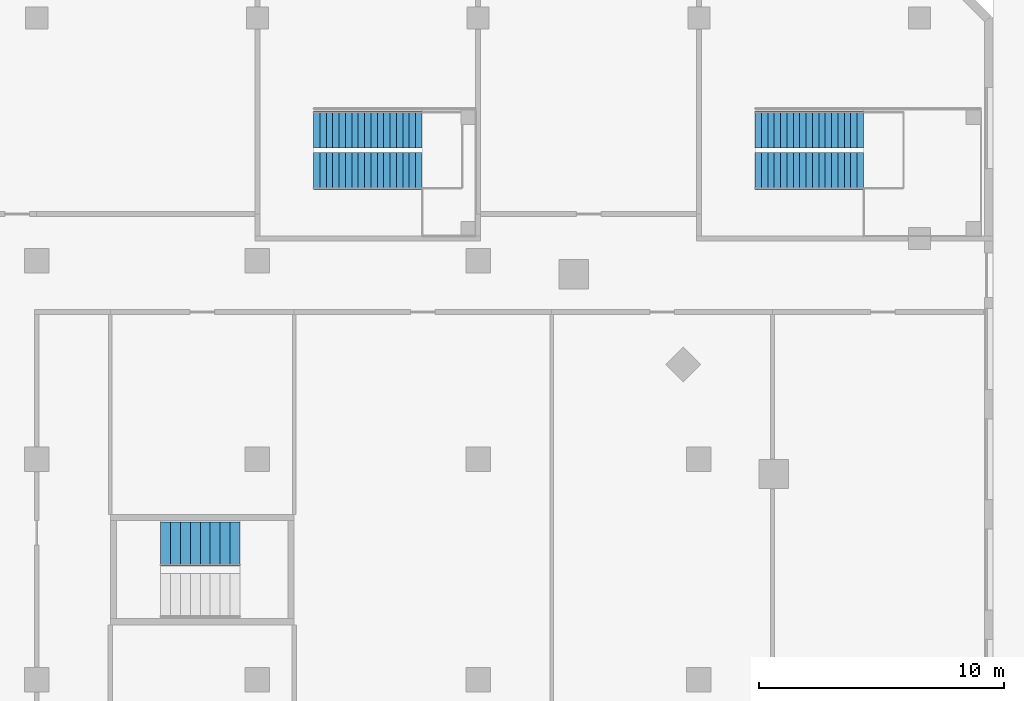
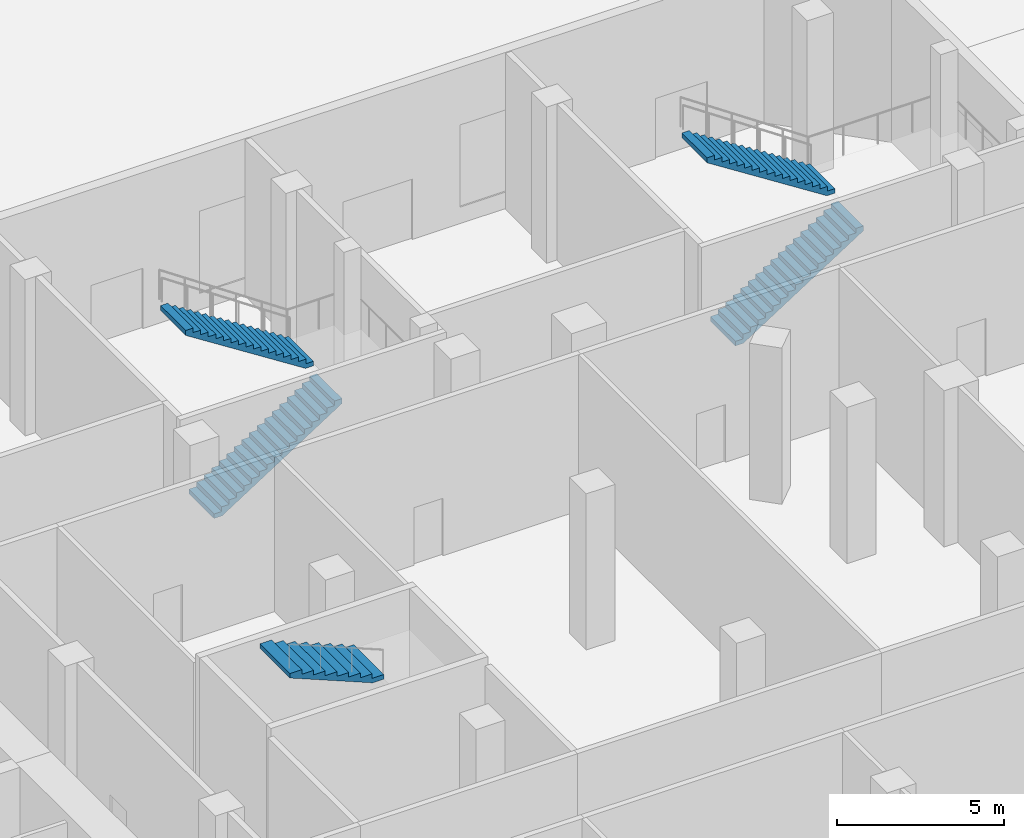
# One storey, part 45 of 55: 5 stair flights, 3 elements without a shape of their own.
"""IFC4 building model written with IfcOpenShell, lengths in metres."""

from ifc_helpers import new_model, si_unit, direction, frame, origin, place, context, subcontext, project, spatial, polyline, outline, extrude, material, type_object, element, aggregate, save


model = new_model("IFC4")

# Units and contexts
model_context = context("Model", 3, precision=1e-05, world=origin(), true_north=direction((0.0, 1.0)))
body_context = subcontext(model_context, "Body", "Model", "MODEL_VIEW")
ifc_project = project(units=[si_unit("LENGTHUNIT", "METRE"), si_unit("AREAUNIT", "SQUARE_METRE"), si_unit("VOLUMEUNIT", "CUBIC_METRE"), si_unit("PLANEANGLEUNIT", "RADIAN"), si_unit("MASSUNIT", "GRAM", prefix="KILO")], contexts=[model_context])

# Site, building, storey
site_placement = place(None, origin())
site = spatial("IfcSite", under=ifc_project, at=site_placement, CompositionType="ELEMENT")
building_placement = place(site_placement, origin())
building = spatial("IfcBuilding", under=site, at=building_placement, Name="Cinnabar Reach Civic Tower", CompositionType="ELEMENT")
storey_placement = place(building_placement, origin())
storey = spatial("IfcBuildingStorey", under=building, at=storey_placement, Name="L00", CompositionType="ELEMENT", Elevation=0.0)

# Stair, stair flights
ifc_material_1 = material(Name="Concrete C35", Category="concrete")
stair_type_1 = type_object("IfcStairType", Name="Podium exit stair 1500", PredefinedType="HALF_TURN_STAIR", material=ifc_material_1)
stair_1_placement = place(storey_placement, origin())
stair_1 = element("IfcStair", 1, at=stair_1_placement, inside=storey, type_object=stair_type_1, Name="Stair PS5", PredefinedType="HALF_TURN_STAIR")
stair_flight_type_1 = type_object("IfcStairFlightType", Name="Podium exit stair flight 1500", PredefinedType="STRAIGHT", material=ifc_material_1)
stair_flight_1_placement = place(storey_placement, frame((56.29, 47.75, 0.0), z_axis=(0.0, 0.0, 1.0), x_axis=(1.0, 0.0, 0.0)))
stair_flight_1 = element("IfcStairFlight", 2, at=stair_flight_1_placement, type_object=stair_flight_type_1, Name="PS5 flight 1", NumberOfRisers=18, NumberOfTreads=17, PredefinedType="STRAIGHT", RiserHeight=0.166666667, TreadLength=0.26, context=body_context, shape_type="SweptSolid", body=[
    extrude(outline(polyline([(0.0, 0.0), (0.0, 0.1667), (0.26, 0.1667), (0.26, 0.3333), (0.52, 0.3333), (0.52, 0.5), (0.78, 0.5), (0.78, 0.6667), (1.04, 0.6667), (1.04, 0.8333), (1.3, 0.8333), (1.3, 1.0), (1.56, 1.0), (1.56, 1.1667), (1.82, 1.1667), (1.82, 1.3333), (2.08, 1.3333), (2.08, 1.5), (2.34, 1.5), (2.34, 1.6667), (2.6, 1.6667), (2.6, 1.8333), (2.86, 1.8333), (2.86, 2.0), (3.12, 2.0), (3.12, 2.1667), (3.38, 2.1667), (3.38, 2.3333), (3.64, 2.3333), (3.64, 2.5), (3.9, 2.5), (3.9, 2.6667), (4.16, 2.6667), (4.16, 2.8333), (4.42, 2.8333), (4.42, 3.0), (4.42, 2.6552), (0.2779, 0.0), (0.0, 0.0)])), frame((0.0, 0.75, 0.0), z_axis=(0.0, -1.0, 0.0), x_axis=(1.0, 0.0, 0.0)), (0.0, 0.0, 1.0), 1.5),
])
stair_flight_2_placement = place(storey_placement, frame((60.71, 49.45, 3.0), z_axis=(0.0, 0.0, 1.0), x_axis=(-1.0, 0.0, 0.0)))
stair_flight_2 = element("IfcStairFlight", 3, at=stair_flight_2_placement, type_object=stair_flight_type_1, Name="PS5 flight 2", NumberOfRisers=18, NumberOfTreads=17, PredefinedType="STRAIGHT", RiserHeight=0.166666667, TreadLength=0.26, context=body_context, shape_type="SweptSolid", body=[
    extrude(outline(polyline([(0.0, 0.0), (0.0, 0.1667), (0.26, 0.1667), (0.26, 0.3333), (0.52, 0.3333), (0.52, 0.5), (0.78, 0.5), (0.78, 0.6667), (1.04, 0.6667), (1.04, 0.8333), (1.3, 0.8333), (1.3, 1.0), (1.56, 1.0), (1.56, 1.1667), (1.82, 1.1667), (1.82, 1.3333), (2.08, 1.3333), (2.08, 1.5), (2.34, 1.5), (2.34, 1.6667), (2.6, 1.6667), (2.6, 1.8333), (2.86, 1.8333), (2.86, 2.0), (3.12, 2.0), (3.12, 2.1667), (3.38, 2.1667), (3.38, 2.3333), (3.64, 2.3333), (3.64, 2.5), (3.9, 2.5), (3.9, 2.6667), (4.16, 2.6667), (4.16, 2.8333), (4.42, 2.8333), (4.42, 3.0), (4.42, 2.6552), (0.2779, 0.0), (0.0, 0.0)])), frame((0.0, 0.75, 0.0), z_axis=(0.0, -1.0, 0.0), x_axis=(1.0, 0.0, 0.0)), (0.0, 0.0, 1.0), 1.5),
])
aggregate(stair_1, [stair_flight_1, stair_flight_2])

stair_2_placement = place(storey_placement, origin())
stair_2 = element("IfcStair", 4, at=stair_2_placement, inside=storey, type_object=stair_type_1, Name="Stair PS6", PredefinedType="HALF_TURN_STAIR")
stair_flight_3_placement = place(storey_placement, frame((38.29, 47.75, 0.0), z_axis=(0.0, 0.0, 1.0), x_axis=(1.0, 0.0, 0.0)))
stair_flight_3 = element("IfcStairFlight", 5, at=stair_flight_3_placement, type_object=stair_flight_type_1, Name="PS6 flight 1", NumberOfRisers=18, NumberOfTreads=17, PredefinedType="STRAIGHT", RiserHeight=0.166666667, TreadLength=0.26, context=body_context, shape_type="SweptSolid", body=[
    extrude(outline(polyline([(0.0, 0.0), (0.0, 0.1667), (0.26, 0.1667), (0.26, 0.3333), (0.52, 0.3333), (0.52, 0.5), (0.78, 0.5), (0.78, 0.6667), (1.04, 0.6667), (1.04, 0.8333), (1.3, 0.8333), (1.3, 1.0), (1.56, 1.0), (1.56, 1.1667), (1.82, 1.1667), (1.82, 1.3333), (2.08, 1.3333), (2.08, 1.5), (2.34, 1.5), (2.34, 1.6667), (2.6, 1.6667), (2.6, 1.8333), (2.86, 1.8333), (2.86, 2.0), (3.12, 2.0), (3.12, 2.1667), (3.38, 2.1667), (3.38, 2.3333), (3.64, 2.3333), (3.64, 2.5), (3.9, 2.5), (3.9, 2.6667), (4.16, 2.6667), (4.16, 2.8333), (4.42, 2.8333), (4.42, 3.0), (4.42, 2.6552), (0.2779, 0.0), (0.0, 0.0)])), frame((0.0, 0.75, 0.0), z_axis=(0.0, -1.0, 0.0), x_axis=(1.0, 0.0, 0.0)), (0.0, 0.0, 1.0), 1.5),
])
stair_flight_4_placement = place(storey_placement, frame((42.71, 49.45, 3.0), z_axis=(0.0, 0.0, 1.0), x_axis=(-1.0, 0.0, 0.0)))
stair_flight_4 = element("IfcStairFlight", 6, at=stair_flight_4_placement, type_object=stair_flight_type_1, Name="PS6 flight 2", NumberOfRisers=18, NumberOfTreads=17, PredefinedType="STRAIGHT", RiserHeight=0.166666667, TreadLength=0.26, context=body_context, shape_type="SweptSolid", body=[
    extrude(outline(polyline([(0.0, 0.0), (0.0, 0.1667), (0.26, 0.1667), (0.26, 0.3333), (0.52, 0.3333), (0.52, 0.5), (0.78, 0.5), (0.78, 0.6667), (1.04, 0.6667), (1.04, 0.8333), (1.3, 0.8333), (1.3, 1.0), (1.56, 1.0), (1.56, 1.1667), (1.82, 1.1667), (1.82, 1.3333), (2.08, 1.3333), (2.08, 1.5), (2.34, 1.5), (2.34, 1.6667), (2.6, 1.6667), (2.6, 1.8333), (2.86, 1.8333), (2.86, 2.0), (3.12, 2.0), (3.12, 2.1667), (3.38, 2.1667), (3.38, 2.3333), (3.64, 2.3333), (3.64, 2.5), (3.9, 2.5), (3.9, 2.6667), (4.16, 2.6667), (4.16, 2.8333), (4.42, 2.8333), (4.42, 3.0), (4.42, 2.6552), (0.2779, 0.0), (0.0, 0.0)])), frame((0.0, 0.75, 0.0), z_axis=(0.0, -1.0, 0.0), x_axis=(1.0, 0.0, 0.0)), (0.0, 0.0, 1.0), 1.5),
])
aggregate(stair_2, [stair_flight_3, stair_flight_4])

# Stair, stair flight
ifc_material_2 = material(Name="Concrete C40/50", Category="concrete")
stair_type_2 = type_object("IfcStairType", Name="T1 Exit stair, double return", PredefinedType="DOUBLE_RETURN_STAIR", material=ifc_material_2)
stair_3_placement = place(storey_placement, origin())
stair_3 = element("IfcStair", 7, at=stair_3_placement, inside=storey, type_object=stair_type_2, Name="Stair T1-S3", PredefinedType="DOUBLE_RETURN_STAIR")
stair_flight_type_2 = type_object("IfcStairFlightType", Name="T1 Stair flight, concrete", PredefinedType="STRAIGHT", material=ifc_material_2)
stair_flight_5_placement = place(storey_placement, frame((35.29, 32.55, 4.5), z_axis=(0.0, 0.0, 1.0), x_axis=(-1.0, 0.0, 0.0)))
stair_flight_5 = element("IfcStairFlight", 8, at=stair_flight_5_placement, type_object=stair_flight_type_2, Name="T1-S3 flight 4", NumberOfRisers=9, NumberOfTreads=8, PredefinedType="STRAIGHT", RiserHeight=0.166666667, TreadLength=0.405, context=body_context, shape_type="SweptSolid", body=[
    extrude(outline(polyline([(0.0, 0.0), (0.0, 0.1667), (0.405, 0.1667), (0.405, 0.3333), (0.81, 0.3333), (0.81, 0.5), (1.215, 0.5), (1.215, 0.6667), (1.62, 0.6667), (1.62, 0.8333), (2.025, 0.8333), (2.025, 1.0), (2.43, 1.0), (2.43, 1.1667), (2.835, 1.1667), (2.835, 1.3333), (3.24, 1.3333), (3.24, 1.5), (3.24, 1.1711), (0.3942, 0.0), (0.0, 0.0)])), frame((0.0, 0.9, 0.0), z_axis=(0.0, -1.0, 0.0), x_axis=(1.0, 0.0, 0.0)), (0.0, 0.0, 1.0), 1.8),
])
aggregate(stair_3, [stair_flight_5])

save(model, "model.ifc")
